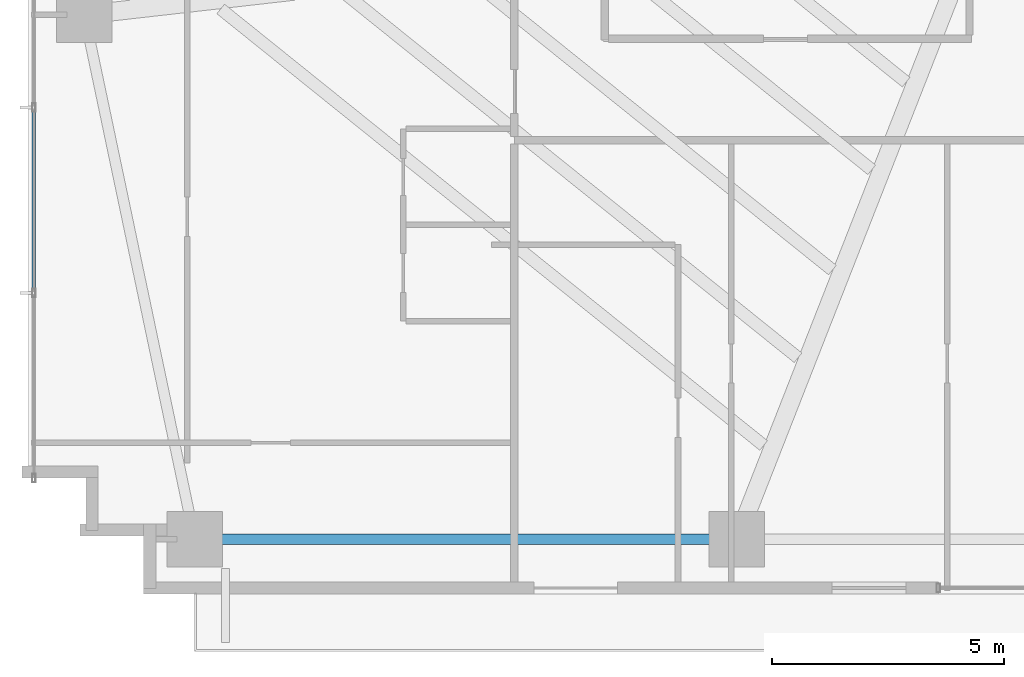
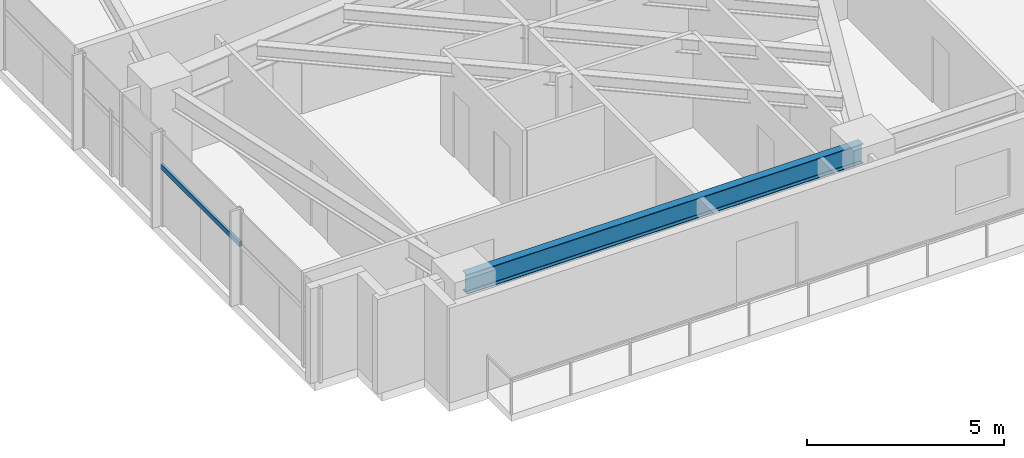
# One storey, part 3 of 25: 1 beam, 1 member, 1 element without a shape of its own.
"""IFC4 building model written with IfcOpenShell, lengths in metres."""

from ifc_helpers import new_model, si_unit, direction, frame, origin, origin_2d, place, context, subcontext, project, spatial, hollow_rectangle, i_section, extrude, source, transform, mapped, material, material_profile, profile_set, type_object, type_shapes, element, aggregate, save


model = new_model("IFC4")

# Units and contexts
model_context = context("Model", 3, precision=1e-05, world=origin(), true_north=direction((0.0, 1.0)))
body_context = subcontext(model_context, "Body", "Model", "MODEL_VIEW")
ifc_project = project(units=[si_unit("LENGTHUNIT", "METRE"), si_unit("AREAUNIT", "SQUARE_METRE"), si_unit("VOLUMEUNIT", "CUBIC_METRE"), si_unit("PLANEANGLEUNIT", "RADIAN"), si_unit("MASSUNIT", "GRAM", prefix="KILO")], contexts=[model_context])

# Site, building, storey
site_placement = place(None, origin())
site = spatial("IfcSite", under=ifc_project, at=site_placement, CompositionType="ELEMENT")
building_placement = place(site_placement, origin())
building = spatial("IfcBuilding", under=site, at=building_placement, Name="Astriad Promenade Condominiums", CompositionType="ELEMENT")
storey_placement = place(building_placement, frame((0.0, 0.0, 32.60009765625)))
storey = spatial("IfcBuildingStorey", under=building, at=storey_placement, Name="L08", CompositionType="ELEMENT", Elevation=32.60009765625)

# Beam
ifc_material_1 = material(Name="Steel ASTM A992 Grade 50", Category="steel")
ifc_material_profile_1 = material_profile(ifc_material_1, i_section(OverallWidth=0.22900390625, OverallDepth=0.612060546875, WebThickness=0.011962890625, FlangeThickness=0.01953125, FilletRadius=0.017822265625, at=origin_2d()), Name="W24X84")
ifc_profile_set_1 = profile_set([ifc_material_profile_1], Name="Steel ASTM A992 Grade 50")
beam_type = type_object("IfcBeamType", Name="STEEL SPANDREL BEAM W24X84", PredefinedType="SPANDREL", material=ifc_profile_set_1)
shared_shape_1 = source(origin(), body_context, "Body", "SweptSolid", [
    extrude(i_section(OverallWidth=0.22900390625, OverallDepth=0.612060546875, WebThickness=0.011962890625, FlangeThickness=0.01953125, FilletRadius=0.017822265625, at=origin_2d()), origin(), (0.0, 0.0, 1.0), 11.6201171875),
])
type_shapes(beam_type, [shared_shape_1])
beam_placement = place(storey_placement, frame((9.43994140625, 3.8798828125, 2.6337890625), z_axis=(1.0, 0.0, 0.0), x_axis=(0.0, 1.0, 0.0)))
element("IfcBeam", 1, at=beam_placement, inside=storey, type_object=beam_type, Name="Perimeter Spandrel Beam SP-S1-L08", PredefinedType="SPANDREL", context=body_context, shape_type="MappedRepresentation", body=[
    mapped(shared_shape_1, transform((0.0, 0.0, 0.0), scale=1.0)),
])

# Curtain wall, member
ifc_material_2 = material(Name="Anodised aluminium Black Dark Glass Unitised", Category="aluminium")
curtain_wall_type = type_object("IfcCurtainWallType", Name="CW-B1-DARK", PredefinedType="USERDEFINED", material=ifc_material_2)
curtain_wall_placement = place(storey_placement, origin())
curtain_wall = element("IfcCurtainWall", 2, at=curtain_wall_placement, inside=storey, type_object=curtain_wall_type, Name="CW-L08-W", ObjectType="UNITISED_CURTAIN_WALL", PredefinedType="USERDEFINED")
ifc_material_3 = material(Name="Anodised aluminium 6063-T6 Black", Category="aluminium")
ifc_material_profile_2 = material_profile(ifc_material_3, hollow_rectangle(XDim=0.074951171875, YDim=0.14990234375, WallThickness=0.004150390625, at=origin_2d()), Name="ALU-TRN-75X150")
ifc_profile_set_2 = profile_set([ifc_material_profile_2], Name="Anodised aluminium 6063-T6 Black")
member_type = type_object("IfcMemberType", Name="TRN-ALU-TRN-75X150", PredefinedType="USERDEFINED", material=ifc_profile_set_2)
shared_shape_2 = source(origin(), body_context, "Body", "SweptSolid", [
    extrude(hollow_rectangle(XDim=0.074951171875, YDim=0.14990234375, WallThickness=0.004150390625, at=origin_2d()), origin(), (0.0, 0.0, 1.0), 4.0),
])
type_shapes(member_type, [shared_shape_2])
member_placement = place(storey_placement, frame((5.929931640625, 9.199951171875, 1.82275390625), z_axis=(0.0, 1.0, 0.0), x_axis=(-1.0, 0.0, 0.0)))
member = element("IfcMember", 3, at=member_placement, type_object=member_type, Name="CW-L08-W-TRN-01-0", ObjectType="TRANSOM", PredefinedType="USERDEFINED", context=body_context, shape_type="MappedRepresentation", body=[
    mapped(shared_shape_2, transform((0.0, 0.0, 0.0), scale=1.0)),
])
aggregate(curtain_wall, [member])

save(model, "model.ifc")
